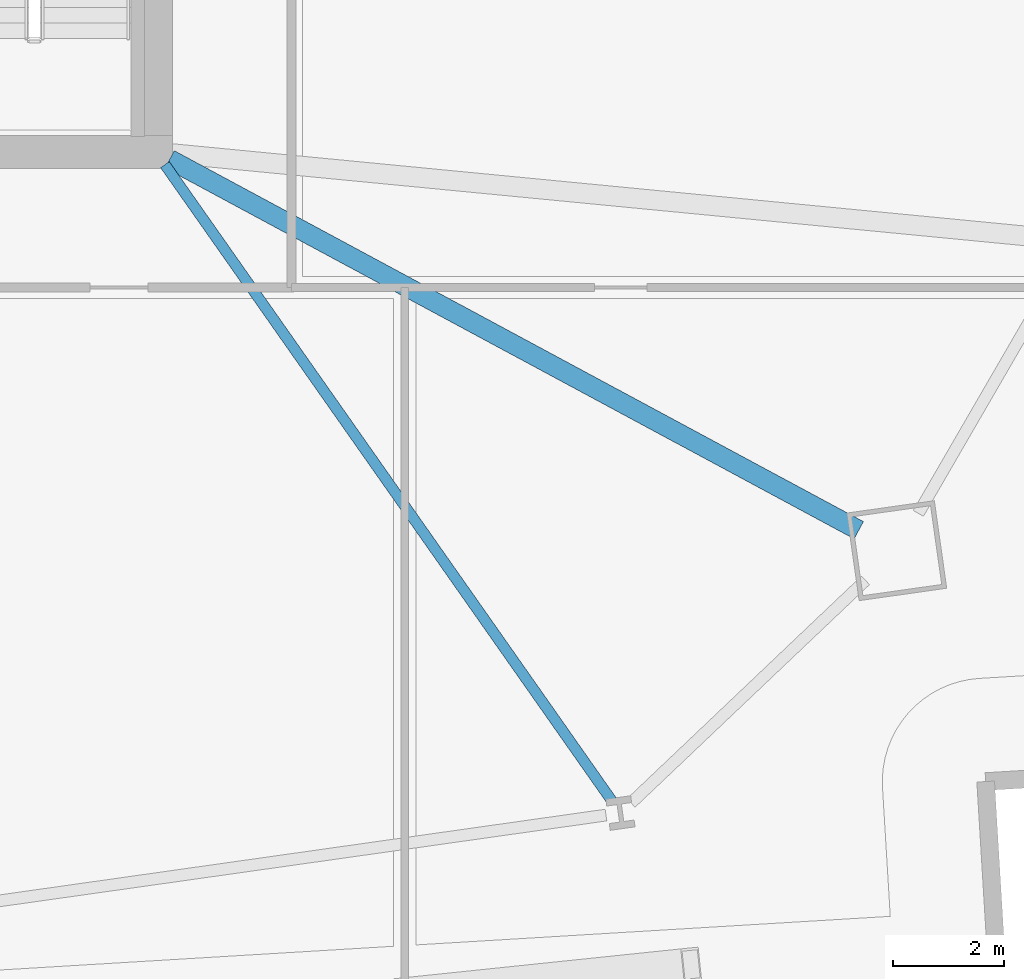
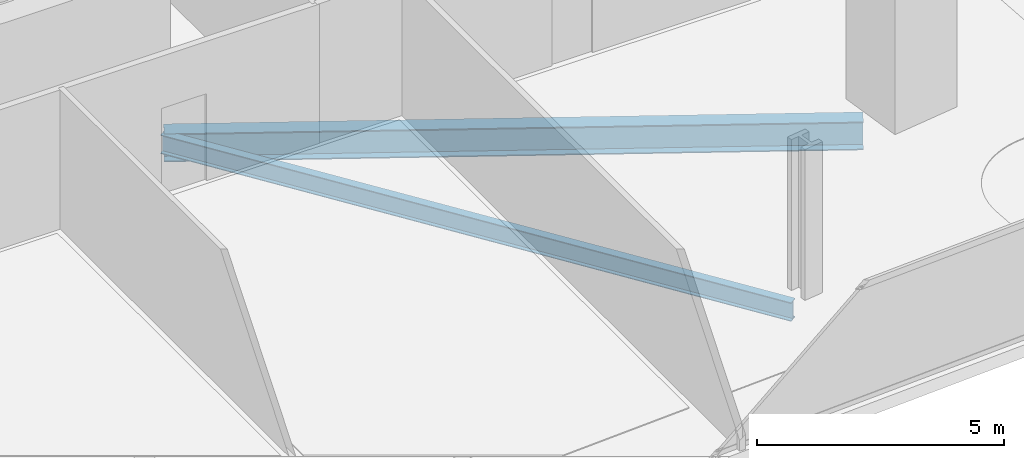
# One storey, part 10 of 34: 2 beams.
"""IFC4 building model written with IfcOpenShell, lengths in metres."""

from ifc_helpers import new_model, si_unit, direction, frame, origin, origin_2d, place, context, subcontext, project, spatial, i_section, extrude, material, material_profile, profile_set, type_object, element, save


model = new_model("IFC4")

# Units and contexts
model_context = context("Model", 3, precision=1e-05, world=origin(), true_north=direction((0.0, 1.0)))
body_context = subcontext(model_context, "Body", "Model", "MODEL_VIEW")
ifc_project = project(units=[si_unit("LENGTHUNIT", "METRE"), si_unit("AREAUNIT", "SQUARE_METRE"), si_unit("VOLUMEUNIT", "CUBIC_METRE"), si_unit("PLANEANGLEUNIT", "RADIAN"), si_unit("MASSUNIT", "GRAM", prefix="KILO")], contexts=[model_context])

# Site, building, storey
site_placement = place(None, origin())
site = spatial("IfcSite", under=ifc_project, at=site_placement, CompositionType="ELEMENT")
building_placement = place(site_placement, origin())
building = spatial("IfcBuilding", under=site, at=building_placement, Name="Haldenkirk Collegiate Tower", CompositionType="ELEMENT")
storey_placement = place(building_placement, frame((0.0, 0.0, 40.199951171875)))
storey = spatial("IfcBuildingStorey", under=building, at=storey_placement, Name="L08", CompositionType="ELEMENT", Elevation=40.199951171875)

# Beams
ifc_material = material(Name="Steel ASTM A992 Grade 50", Category="steel")
ifc_material_profile_1 = material_profile(ifc_material, i_section(OverallWidth=0.35498046875, OverallDepth=0.696044921875, WebThickness=0.015380859375, FlangeThickness=0.02490234375, at=origin_2d()), Name="W27X146")
ifc_profile_set_1 = profile_set([ifc_material_profile_1], Name="Steel ASTM A992 Grade 50")
beam_type_1 = type_object("IfcBeamType", Name="BM-GIRDER-W27X146", PredefinedType="BEAM", material=ifc_profile_set_1)
beam_1_placement = place(storey_placement, frame((57.71435546875, 11.15673828125, -0.657958984375), z_axis=(-0.880558564783, 0.473937352386, 0.0), x_axis=(-0.473937352386, -0.880558564783, 0.0)))
element("IfcBeam", 1, at=beam_1_placement, inside=storey, type_object=beam_type_1, Name="L08 primary floor girder 02", PredefinedType="BEAM", context=body_context, shape_type="SweptSolid", body=[
    extrude(i_section(OverallWidth=0.35498046875, OverallDepth=0.696044921875, WebThickness=0.015380859375, FlangeThickness=0.02490234375, at=origin_2d()), origin(), (0.0, 0.0, 1.0), 14.158935546875),
])
ifc_material_profile_2 = material_profile(ifc_material, i_section(OverallWidth=0.19189453125, OverallDepth=0.462890625, WebThickness=0.010498046875, FlangeThickness=0.017578125, at=origin_2d()), Name="W18X60")
ifc_profile_set_2 = profile_set([ifc_material_profile_2], Name="Steel ASTM A992 Grade 50")
beam_type_2 = type_object("IfcBeamType", Name="BM-JOIST-W18X60", PredefinedType="JOIST", material=ifc_profile_set_2)
beam_2_placement = place(storey_placement, frame((53.25048828125, 6.256591796875, -0.54150390625), z_axis=(-0.574869236657, 0.818245293751, 0.0), x_axis=(-0.818245293751, -0.574869236657, 0.0)))
element("IfcBeam", 2, at=beam_2_placement, inside=storey, type_object=beam_type_2, Name="L08 composite floor joist 07", PredefinedType="JOIST", context=body_context, shape_type="SweptSolid", body=[
    extrude(i_section(OverallWidth=0.19189453125, OverallDepth=0.462890625, WebThickness=0.010498046875, FlangeThickness=0.017578125, at=origin_2d()), origin(), (0.0, 0.0, 1.0), 14.072021484375),
])

save(model, "model.ifc")
